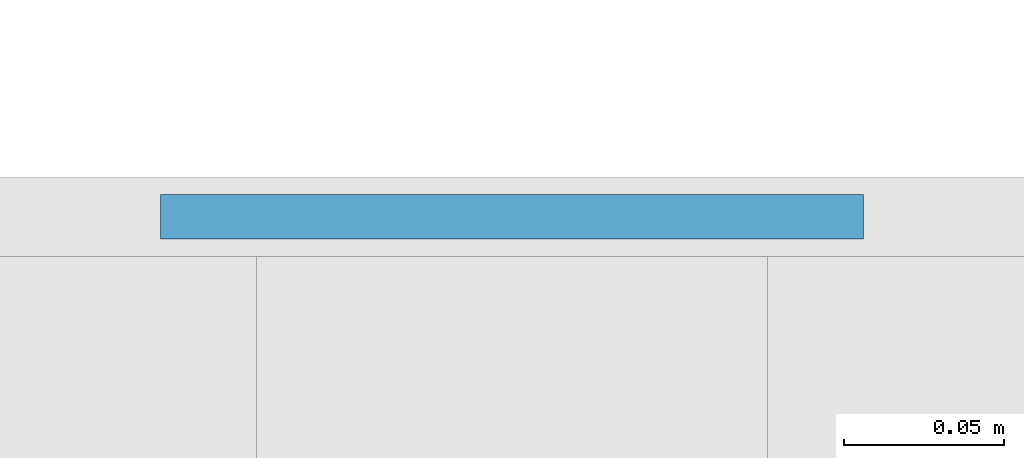
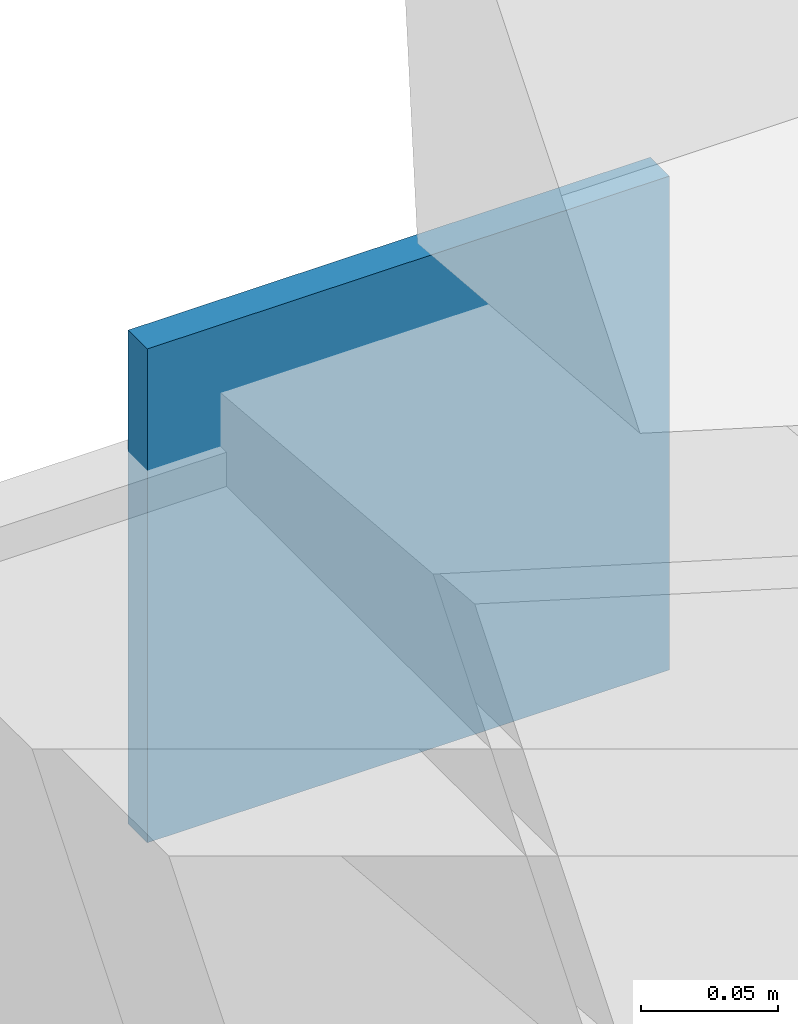
# One storey, part 26 of 45: 1 plate.
"""IFC4 building model written with IfcOpenShell, lengths in metres."""

import ifcopenshell
import ifcopenshell.guid

model = None  # the IFC model being written
_history = None  # IfcOwnerHistory: only IFC2X3 demands one
_inside = {}  # id of a spatial element -> (the spatial element, [elements in it])
_under = {}  # id of a project, library or spatial element -> (it, [spatial elements below it])
_declared = {}  # id of a project -> (the project, [libraries it declares])
_typed = {}  # id of a type object -> (the type object, [elements of that type])
_made_of = {}  # id of a material, layer set ... -> (it, [elements and type objects made of it])


def new_model(schema):
    """Start an empty IFC model of exactly this schema.

    Asked for "IFC4X3", IfcOpenShell would pick the latest addendum, in which some entities
    have other attributes; the version numbers below select the first issue.
    IFC2X3 requires an IfcOwnerHistory on every rooted entity: one is made here for all.
    """
    global model, _history
    if schema == "IFC4X3":
        model = ifcopenshell.file(schema_version=(4, 3, 0, 0))
    else:
        model = ifcopenshell.file(schema=schema)
    _inside.clear()
    _under.clear()
    _declared.clear()
    _typed.clear()
    _made_of.clear()
    _history = None
    if model.schema == "IFC2X3":
        org = make("IfcOrganization", Name="unknown")
        user = make(
            "IfcPersonAndOrganization",
            ThePerson=make("IfcPerson", FamilyName="unknown"),
            TheOrganization=org,
        )
        app = make(
            "IfcApplication",
            ApplicationDeveloper=org,
            Version="unknown",
            ApplicationFullName="unknown",
            ApplicationIdentifier="unknown",
        )
        _history = make(
            "IfcOwnerHistory",
            OwningUser=user,
            OwningApplication=app,
            ChangeAction="ADDED",
            CreationDate=0,
        )
    return model


def make(cls, **values):
    """One entity of the class cls with the attributes given. An attribute that is None is left unset."""
    return model.create_entity(
        cls, **{name: value for name, value in values.items() if value is not None}
    )


def rooted(cls, **values):
    """An entity with a GlobalId (a new one), such as an element, a storey or a relation."""
    return make(cls, GlobalId=ifcopenshell.guid.new(), OwnerHistory=_history, **values)


def si_unit(unit_type, name, prefix=None):
    """IfcSIUnit, for example si_unit("LENGTHUNIT", "METRE", prefix="MILLI")."""
    return make("IfcSIUnit", UnitType=unit_type, Prefix=prefix, Name=name)


def assignment(units):
    """IfcUnitAssignment: the units of a project."""
    return None if units is None else make("IfcUnitAssignment", Units=units)


def point(xyz):
    """IfcCartesianPoint."""
    return None if xyz is None else make("IfcCartesianPoint", Coordinates=xyz)


def direction(xyz):
    """IfcDirection."""
    return None if xyz is None else make("IfcDirection", DirectionRatios=xyz)


def frame(location, z_axis=None, x_axis=None):
    """IfcAxis2Placement3D, a coordinate frame: its origin and axes. An axis left out is left unset."""
    return make(
        "IfcAxis2Placement3D",
        Location=point(location),
        Axis=direction(z_axis),
        RefDirection=direction(x_axis),
    )


def frame_2d(location, x_axis=None):
    """IfcAxis2Placement2D, a coordinate frame in the plane: its origin and x axis."""
    return make(
        "IfcAxis2Placement2D", Location=point(location), RefDirection=direction(x_axis)
    )


def origin():
    """The frame at (0, 0, 0) with its axes left unset."""
    return frame((0.0, 0.0, 0.0))


def origin_2d():
    """The frame at (0, 0) in the plane with its x axis left unset."""
    return frame_2d((0.0, 0.0))


def place(relative_to, where):
    """IfcLocalPlacement: puts the frame where relative to a parent placement (None: the world)."""
    return make(
        "IfcLocalPlacement", PlacementRelTo=relative_to, RelativePlacement=where
    )


def context(
    kind, dimensions, precision=None, world=None, true_north=None, identifier=None
):
    """IfcGeometricRepresentationContext, for example the 3D "Model" context."""
    return make(
        "IfcGeometricRepresentationContext",
        ContextIdentifier=identifier,
        ContextType=kind,
        CoordinateSpaceDimension=dimensions,
        Precision=precision,
        WorldCoordinateSystem=world,
        TrueNorth=true_north,
    )


def subcontext(parent, identifier, kind, view, scale=None):
    """IfcGeometricRepresentationSubContext, for example "Body" below "Model"."""
    return make(
        "IfcGeometricRepresentationSubContext",
        ContextIdentifier=identifier,
        ContextType=kind,
        ParentContext=parent,
        TargetScale=scale,
        TargetView=view,
    )


def project(units=None, contexts=None):
    """IfcProject with its units and contexts."""
    return rooted(
        "IfcProject",
        Name="project",
        RepresentationContexts=contexts,
        UnitsInContext=assignment(units),
    )


def spatial(cls, under=None, at=None, **own):
    """A site, building, storey or space (cls), placed at a placement, below another one or the project."""
    s = rooted(cls, ObjectPlacement=at, **own)
    if under is not None:
        _under.setdefault(under.id(), (under, []))[1].append(s)
    return s


def profile(cls, at=None, kind="AREA", **sizes):
    """A parametric profile (cls). Its sizes go by their IFC names, for example OverallWidth=200.0."""
    return make(cls, ProfileType=kind, Position=at, **sizes)


def rectangle(**sizes):
    """IfcRectangleProfileDef."""
    return profile("IfcRectangleProfileDef", **sizes)


def extrude(swept, where, along, depth):
    """IfcExtrudedAreaSolid: the profile swept, set in the frame where, extruded along a direction by depth."""
    return make(
        "IfcExtrudedAreaSolid",
        SweptArea=swept,
        Position=where,
        ExtrudedDirection=direction(along),
        Depth=depth,
    )


def shape(context_of_items, identifier, shape_type, items):
    """IfcShapeRepresentation: the items that make up one representation, for example the "Body"."""
    return make(
        "IfcShapeRepresentation",
        ContextOfItems=context_of_items,
        RepresentationIdentifier=identifier,
        RepresentationType=shape_type,
        Items=items,
    )


def material(Name=None, Category=None):
    """IfcMaterial."""
    return make("IfcMaterial", Name=Name, Category=Category)


def layer(
    of_material, thickness, ventilated=None, Name=None, Category=None, Priority=None
):
    """IfcMaterialLayer: one layer of a wall or slab, of a material (None: an air gap)."""
    return make(
        "IfcMaterialLayer",
        Material=of_material,
        LayerThickness=thickness,
        IsVentilated=ventilated,
        Name=Name,
        Category=Category,
        Priority=Priority,
    )


def layer_set(layers, Name=None):
    """IfcMaterialLayerSet."""
    return make("IfcMaterialLayerSet", MaterialLayers=layers, LayerSetName=Name)


def made_of(thing, what):
    """Note that an element or type object is made of a material, layer set ...; save() writes the relation."""
    if what is not None:
        _made_of.setdefault(what.id(), (what, []))[1].append(thing)
    return thing


def type_object(cls, material=None, **own):
    """A type object (cls), such as IfcWallType, which elements share."""
    return made_of(rooted(cls, **own), material)


def element(
    cls,
    number,
    at=None,
    inside=None,
    cuts=None,
    type_object=None,
    material=None,
    context=None,
    identifier="Body",
    shape_type=None,
    held_by="IfcProductDefinitionShape",
    body=None,
    shapes=None,
    **own,
):
    """One element of the class cls, such as IfcWall. Its Tag is "e" and its number.

    at: its placement. inside: the storey or other place that contains it. cuts: it is an
    opening in that element (IfcRelVoidsElement). A single representation is given by context,
    identifier, shape_type and body (its items); several are given by shapes. held_by: the class
    of the entity that holds the representations. save() writes the other relations.
    """
    e = rooted(cls, Tag="e%d" % number, ObjectPlacement=at, **own)
    if body is not None:
        shapes = [shape(context, identifier, shape_type, body)]
    if shapes is not None:
        e.Representation = make(held_by, Representations=shapes)
    if inside is not None:
        _inside.setdefault(inside.id(), (inside, []))[1].append(e)
    if cuts is not None:
        rooted(
            "IfcRelVoidsElement", RelatingBuildingElement=cuts, RelatedOpeningElement=e
        )
    if type_object is not None:
        _typed.setdefault(type_object.id(), (type_object, []))[1].append(e)
    return made_of(e, material)


def aggregate(whole, parts):
    """IfcRelAggregates: a whole, such as a stair, and the parts it consists of."""
    return rooted("IfcRelAggregates", RelatingObject=whole, RelatedObjects=parts)


def save(model, path):
    """Write the relations noted so far, then the file.

    IfcRelAggregates (storeys below a building ...), IfcRelContainedInSpatialStructure (elements
    in a storey), IfcRelDefinesByType, IfcRelAssociatesMaterial and IfcRelDeclares: one each for
    every whole, place, type object, material and project.
    """
    for whole, parts in _under.values():
        aggregate(whole, parts)
    for where, things in _inside.values():
        rooted(
            "IfcRelContainedInSpatialStructure",
            RelatedElements=things,
            RelatingStructure=where,
        )
    for kind, things in _typed.values():
        rooted("IfcRelDefinesByType", RelatedObjects=things, RelatingType=kind)
    for what, things in _made_of.values():
        rooted("IfcRelAssociatesMaterial", RelatedObjects=things, RelatingMaterial=what)
    for by, libraries in _declared.values():
        rooted("IfcRelDeclares", RelatingContext=by, RelatedDefinitions=libraries)
    model.write(path)


model = new_model("IFC4")

# Units and contexts
model_context = context("Model", 3, precision=1e-05, world=origin(), true_north=direction((0.0, 1.0)))
body_context = subcontext(model_context, "Body", "Model", "MODEL_VIEW")
ifc_project = project(units=[si_unit("LENGTHUNIT", "METRE"), si_unit("AREAUNIT", "SQUARE_METRE"), si_unit("VOLUMEUNIT", "CUBIC_METRE"), si_unit("PLANEANGLEUNIT", "RADIAN"), si_unit("MASSUNIT", "GRAM", prefix="KILO")], contexts=[model_context])

# Site, building, storey
site_placement = place(None, origin())
site = spatial("IfcSite", under=ifc_project, at=site_placement, CompositionType="ELEMENT")
building_placement = place(site_placement, origin())
building = spatial("IfcBuilding", under=site, at=building_placement, Name="Celorna Specialist Clinic", CompositionType="ELEMENT")
storey_placement = place(building_placement, frame((0.0, 0.0, 18.60009765625)))
storey = spatial("IfcBuildingStorey", under=building, at=storey_placement, Name="L04", CompositionType="ELEMENT", Elevation=18.60009765625)

# Plate
ifc_material = material(Name="Steel S355", Category="steel")
ifc_layer = layer(ifc_material, 0.01611328125, Name="Steel S355")
ifc_layer_set = layer_set([ifc_layer], Name="Steel S355")
plate_type = type_object("IfcPlateType", Name="EP-04", PredefinedType="SHEET", material=ifc_layer_set)
plate_placement = place(storey_placement, frame((54.60009765625, 42.89990234375, -0.31201171875), z_axis=(0.0, 0.0, 1.0), x_axis=(1.0, 0.0, 0.0)))
element("IfcPlate", 1, at=plate_placement, inside=storey, type_object=plate_type, Name="Rafter chord cap plate ROOF-V6-NORTH", PredefinedType="SHEET", context=body_context, shape_type="SweptSolid", body=[
    extrude(rectangle(XDim=0.219970703125, YDim=0.013916015625, at=origin_2d()), origin(), (0.0, 0.0, 1.0), 0.219970703125),
])

save(model, "model.ifc")
